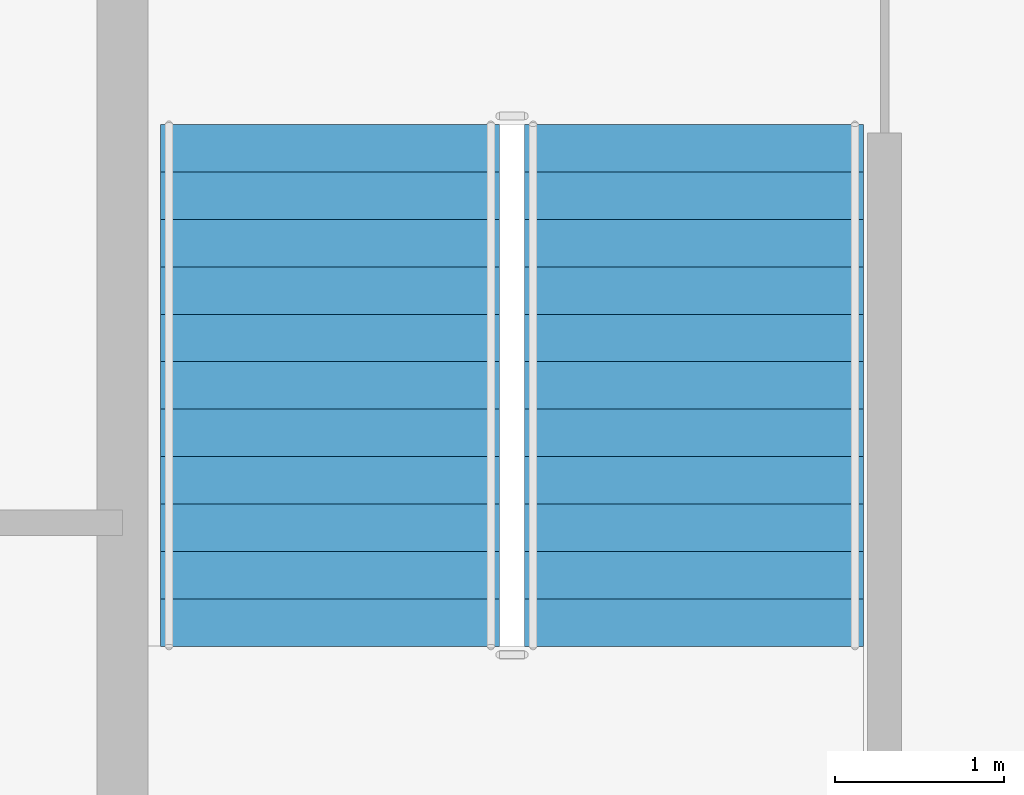
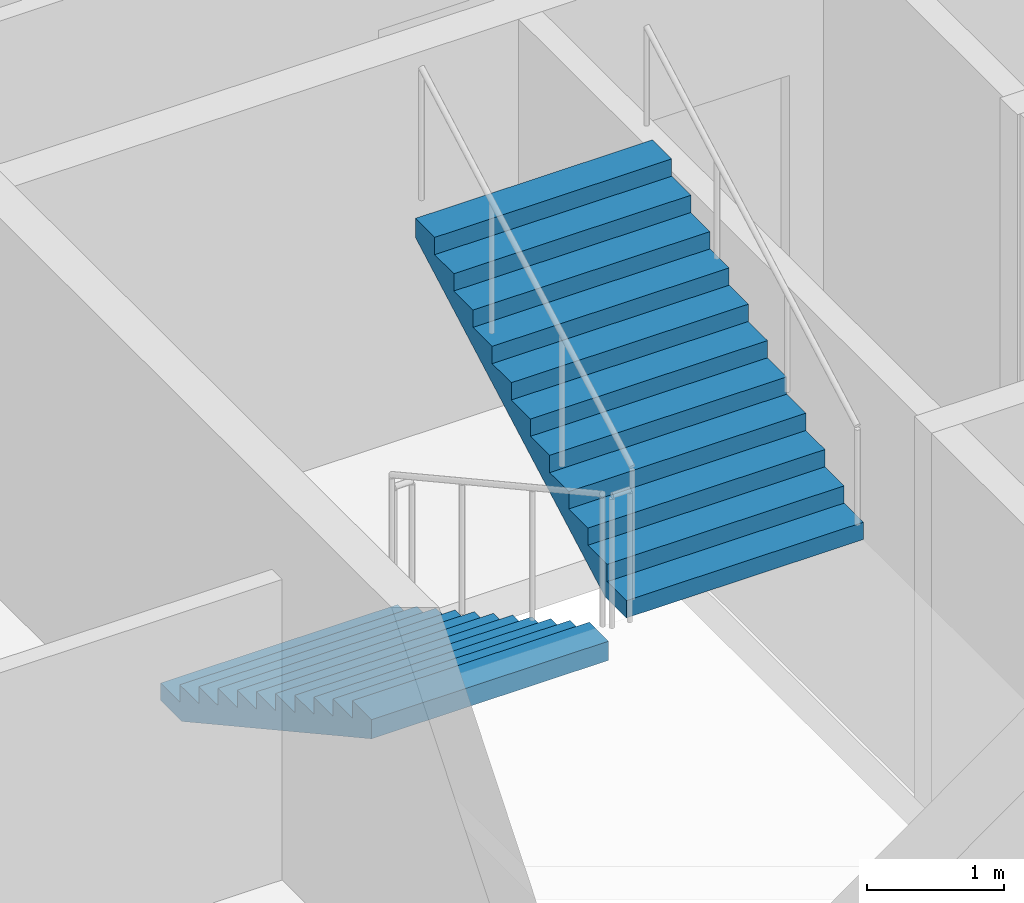
# One storey, part 8 of 11: 2 stair flights, 1 element without a shape of its own.
"""IFC4 building model written with IfcOpenShell, lengths in metres."""

import ifcopenshell
import ifcopenshell.guid

model = None  # the IFC model being written
_history = None  # IfcOwnerHistory: only IFC2X3 demands one
_inside = {}  # id of a spatial element -> (the spatial element, [elements in it])
_under = {}  # id of a project, library or spatial element -> (it, [spatial elements below it])
_declared = {}  # id of a project -> (the project, [libraries it declares])
_typed = {}  # id of a type object -> (the type object, [elements of that type])
_made_of = {}  # id of a material, layer set ... -> (it, [elements and type objects made of it])


def new_model(schema):
    """Start an empty IFC model of exactly this schema.

    Asked for "IFC4X3", IfcOpenShell would pick the latest addendum, in which some entities
    have other attributes; the version numbers below select the first issue.
    IFC2X3 requires an IfcOwnerHistory on every rooted entity: one is made here for all.
    """
    global model, _history
    if schema == "IFC4X3":
        model = ifcopenshell.file(schema_version=(4, 3, 0, 0))
    else:
        model = ifcopenshell.file(schema=schema)
    _inside.clear()
    _under.clear()
    _declared.clear()
    _typed.clear()
    _made_of.clear()
    _history = None
    if model.schema == "IFC2X3":
        org = make("IfcOrganization", Name="unknown")
        user = make(
            "IfcPersonAndOrganization",
            ThePerson=make("IfcPerson", FamilyName="unknown"),
            TheOrganization=org,
        )
        app = make(
            "IfcApplication",
            ApplicationDeveloper=org,
            Version="unknown",
            ApplicationFullName="unknown",
            ApplicationIdentifier="unknown",
        )
        _history = make(
            "IfcOwnerHistory",
            OwningUser=user,
            OwningApplication=app,
            ChangeAction="ADDED",
            CreationDate=0,
        )
    return model


def make(cls, **values):
    """One entity of the class cls with the attributes given. An attribute that is None is left unset."""
    return model.create_entity(
        cls, **{name: value for name, value in values.items() if value is not None}
    )


def rooted(cls, **values):
    """An entity with a GlobalId (a new one), such as an element, a storey or a relation."""
    return make(cls, GlobalId=ifcopenshell.guid.new(), OwnerHistory=_history, **values)


def si_unit(unit_type, name, prefix=None):
    """IfcSIUnit, for example si_unit("LENGTHUNIT", "METRE", prefix="MILLI")."""
    return make("IfcSIUnit", UnitType=unit_type, Prefix=prefix, Name=name)


def assignment(units):
    """IfcUnitAssignment: the units of a project."""
    return None if units is None else make("IfcUnitAssignment", Units=units)


def point(xyz):
    """IfcCartesianPoint."""
    return None if xyz is None else make("IfcCartesianPoint", Coordinates=xyz)


def direction(xyz):
    """IfcDirection."""
    return None if xyz is None else make("IfcDirection", DirectionRatios=xyz)


def frame(location, z_axis=None, x_axis=None):
    """IfcAxis2Placement3D, a coordinate frame: its origin and axes. An axis left out is left unset."""
    return make(
        "IfcAxis2Placement3D",
        Location=point(location),
        Axis=direction(z_axis),
        RefDirection=direction(x_axis),
    )


def origin():
    """The frame at (0, 0, 0) with its axes left unset."""
    return frame((0.0, 0.0, 0.0))


def place(relative_to, where):
    """IfcLocalPlacement: puts the frame where relative to a parent placement (None: the world)."""
    return make(
        "IfcLocalPlacement", PlacementRelTo=relative_to, RelativePlacement=where
    )


def context(
    kind, dimensions, precision=None, world=None, true_north=None, identifier=None
):
    """IfcGeometricRepresentationContext, for example the 3D "Model" context."""
    return make(
        "IfcGeometricRepresentationContext",
        ContextIdentifier=identifier,
        ContextType=kind,
        CoordinateSpaceDimension=dimensions,
        Precision=precision,
        WorldCoordinateSystem=world,
        TrueNorth=true_north,
    )


def subcontext(parent, identifier, kind, view, scale=None):
    """IfcGeometricRepresentationSubContext, for example "Body" below "Model"."""
    return make(
        "IfcGeometricRepresentationSubContext",
        ContextIdentifier=identifier,
        ContextType=kind,
        ParentContext=parent,
        TargetScale=scale,
        TargetView=view,
    )


def project(units=None, contexts=None):
    """IfcProject with its units and contexts."""
    return rooted(
        "IfcProject",
        Name="project",
        RepresentationContexts=contexts,
        UnitsInContext=assignment(units),
    )


def spatial(cls, under=None, at=None, **own):
    """A site, building, storey or space (cls), placed at a placement, below another one or the project."""
    s = rooted(cls, ObjectPlacement=at, **own)
    if under is not None:
        _under.setdefault(under.id(), (under, []))[1].append(s)
    return s


def point_list(points):
    """IfcCartesianPointList2D or 3D."""
    cls = (
        "IfcCartesianPointList2D" if len(points[0]) == 2 else "IfcCartesianPointList3D"
    )
    return make(cls, CoordList=points)


def polygons(points, faces, closed=None, point_numbers=None):
    """IfcPolygonalFaceSet: a face is its outer loop, then its inner loops; points numbered from 1."""
    made = []
    for loops in faces:
        if len(loops) == 1:
            made.append(make("IfcIndexedPolygonalFace", CoordIndex=loops[0]))
        else:
            made.append(
                make(
                    "IfcIndexedPolygonalFaceWithVoids",
                    CoordIndex=loops[0],
                    InnerCoordIndices=loops[1:],
                )
            )
    return make(
        "IfcPolygonalFaceSet",
        Coordinates=point_list(points),
        Closed=closed,
        Faces=made,
        PnIndex=point_numbers,
    )


def shape(context_of_items, identifier, shape_type, items):
    """IfcShapeRepresentation: the items that make up one representation, for example the "Body"."""
    return make(
        "IfcShapeRepresentation",
        ContextOfItems=context_of_items,
        RepresentationIdentifier=identifier,
        RepresentationType=shape_type,
        Items=items,
    )


def material(Name=None, Category=None):
    """IfcMaterial."""
    return make("IfcMaterial", Name=Name, Category=Category)


def made_of(thing, what):
    """Note that an element or type object is made of a material, layer set ...; save() writes the relation."""
    if what is not None:
        _made_of.setdefault(what.id(), (what, []))[1].append(thing)
    return thing


def type_object(cls, material=None, **own):
    """A type object (cls), such as IfcWallType, which elements share."""
    return made_of(rooted(cls, **own), material)


def element(
    cls,
    number,
    at=None,
    inside=None,
    cuts=None,
    type_object=None,
    material=None,
    context=None,
    identifier="Body",
    shape_type=None,
    held_by="IfcProductDefinitionShape",
    body=None,
    shapes=None,
    **own,
):
    """One element of the class cls, such as IfcWall. Its Tag is "e" and its number.

    at: its placement. inside: the storey or other place that contains it. cuts: it is an
    opening in that element (IfcRelVoidsElement). A single representation is given by context,
    identifier, shape_type and body (its items); several are given by shapes. held_by: the class
    of the entity that holds the representations. save() writes the other relations.
    """
    e = rooted(cls, Tag="e%d" % number, ObjectPlacement=at, **own)
    if body is not None:
        shapes = [shape(context, identifier, shape_type, body)]
    if shapes is not None:
        e.Representation = make(held_by, Representations=shapes)
    if inside is not None:
        _inside.setdefault(inside.id(), (inside, []))[1].append(e)
    if cuts is not None:
        rooted(
            "IfcRelVoidsElement", RelatingBuildingElement=cuts, RelatedOpeningElement=e
        )
    if type_object is not None:
        _typed.setdefault(type_object.id(), (type_object, []))[1].append(e)
    return made_of(e, material)


def aggregate(whole, parts):
    """IfcRelAggregates: a whole, such as a stair, and the parts it consists of."""
    return rooted("IfcRelAggregates", RelatingObject=whole, RelatedObjects=parts)


def save(model, path):
    """Write the relations noted so far, then the file.

    IfcRelAggregates (storeys below a building ...), IfcRelContainedInSpatialStructure (elements
    in a storey), IfcRelDefinesByType, IfcRelAssociatesMaterial and IfcRelDeclares: one each for
    every whole, place, type object, material and project.
    """
    for whole, parts in _under.values():
        aggregate(whole, parts)
    for where, things in _inside.values():
        rooted(
            "IfcRelContainedInSpatialStructure",
            RelatedElements=things,
            RelatingStructure=where,
        )
    for kind, things in _typed.values():
        rooted("IfcRelDefinesByType", RelatedObjects=things, RelatingType=kind)
    for what, things in _made_of.values():
        rooted("IfcRelAssociatesMaterial", RelatedObjects=things, RelatingMaterial=what)
    for by, libraries in _declared.values():
        rooted("IfcRelDeclares", RelatingContext=by, RelatedDefinitions=libraries)
    model.write(path)


model = new_model("IFC4")

# Units and contexts
model_context = context("Model", 3, precision=1e-05, world=origin(), true_north=direction((0.0, 1.0)))
body_context = subcontext(model_context, "Body", "Model", "MODEL_VIEW")
ifc_project = project(units=[si_unit("LENGTHUNIT", "METRE"), si_unit("AREAUNIT", "SQUARE_METRE"), si_unit("VOLUMEUNIT", "CUBIC_METRE"), si_unit("PLANEANGLEUNIT", "RADIAN"), si_unit("MASSUNIT", "GRAM", prefix="KILO")], contexts=[model_context])

# Site, building, storey
site_placement = place(None, origin())
site = spatial("IfcSite", under=ifc_project, at=site_placement, CompositionType="ELEMENT")
building_placement = place(site_placement, origin())
building = spatial("IfcBuilding", under=site, at=building_placement, Name="Caravel Reach Hotel and Residences", CompositionType="ELEMENT")
storey_placement = place(building_placement, frame((0.0, 0.0, 210.89990234375)))
storey = spatial("IfcBuildingStorey", under=building, at=storey_placement, Name="L53", CompositionType="ELEMENT", Elevation=210.89990234375)

# Stair, stair flights
ifc_material_1 = material(Name="Concrete C40", Category="concrete")
stair_type = type_object("IfcStairType", Name="Core stair", PredefinedType="HALF_TURN_STAIR", material=ifc_material_1)
stair_placement = place(storey_placement, origin())
stair = element("IfcStair", 1, at=stair_placement, inside=storey, type_object=stair_type, Name="L53 Exit stair A", PredefinedType="HALF_TURN_STAIR")
ifc_material_2 = material(Name="Concrete C40", Category="concrete")
stair_flight_type = type_object("IfcStairFlightType", Name="Core stair flight", PredefinedType="STRAIGHT", material=ifc_material_2)
stair_flight_1_placement = place(storey_placement, frame((19.22509765625, 29.35009765625, 0.0), z_axis=(0.0, 0.0, 1.0), x_axis=(0.0, -1.0, 0.0)))
stair_flight_1 = element("IfcStairFlight", 2, at=stair_flight_1_placement, type_object=stair_flight_type, Name="ST-A flight 1", NumberOfRisers=12, NumberOfTreads=11, PredefinedType="STRAIGHT", RiserHeight=0.154166667, TreadLength=0.28, context=body_context, shape_type="Tessellation", body=[
    polygons([(0.3107950034306102, 1.0, 0.0), (0.3107950034306102, 0.6666666666666667, 0.0), (0.3107950034306102, 0.33333333333333337, 0.0), (0.3107950034306102, 0.0, 0.0), (0.3107950034306102, -0.33333333333333326, 0.0), (0.3107950034306102, -0.6666666666666667, 0.0), (0.3107950034306102, -1.0, 0.0), (3.081, 1.0, 1.524711087717319), (3.081, 0.6666666666666667, 1.524711087717319), (3.081, 0.33333333333333337, 1.524711087717319), (3.081, 0.0, 1.524711087717319), (3.081, -0.33333333333333326, 1.524711087717319), (3.081, -0.6666666666666667, 1.524711087717319), (3.081, -1.0, 1.524711087717319), (3.081, 1.0, 1.695833337), (3.081, 0.6666666666666667, 1.695833337), (3.081, 0.33333333333333337, 1.695833337), (3.081, 0.0, 1.695833337), (3.081, -0.33333333333333326, 1.695833337), (3.081, -0.6666666666666667, 1.695833337), (3.081, -1.0, 1.695833337), (2.8000000000000003, 1.0, 1.695833337), (2.8000000000000003, 0.6666666666666667, 1.695833337), (2.8000000000000003, 0.33333333333333337, 1.695833337), (2.8000000000000003, 0.0, 1.695833337), (2.8000000000000003, -0.33333333333333326, 1.695833337), (2.8000000000000003, -0.6666666666666667, 1.695833337), (2.8000000000000003, -1.0, 1.695833337), (2.8000000000000003, 1.0, 1.5416666700000001), (2.8000000000000003, 0.6666666666666667, 1.5416666700000001), (2.8000000000000003, 0.33333333333333337, 1.5416666700000001), (2.8000000000000003, 0.0, 1.5416666700000001), (2.8000000000000003, -0.33333333333333326, 1.5416666700000001), (2.8000000000000003, -0.6666666666666667, 1.5416666700000001), (2.8000000000000003, -1.0, 1.5416666700000001), (2.5200000000000005, 1.0, 1.5416666700000001), (2.5200000000000005, 0.6666666666666667, 1.5416666700000001), (2.5200000000000005, 0.33333333333333337, 1.5416666700000001), (2.5200000000000005, 0.0, 1.5416666700000001), (2.5200000000000005, -0.33333333333333326, 1.5416666700000001), (2.5200000000000005, -0.6666666666666667, 1.5416666700000001), (2.5200000000000005, -1.0, 1.5416666700000001), (2.5200000000000005, 1.0, 1.387500003), (2.5200000000000005, 0.6666666666666667, 1.387500003), (2.5200000000000005, 0.33333333333333337, 1.387500003), (2.5200000000000005, 0.0, 1.387500003), (2.5200000000000005, -0.33333333333333326, 1.387500003), (2.5200000000000005, -0.6666666666666667, 1.387500003), (2.5200000000000005, -1.0, 1.387500003), (2.24, 1.0, 1.387500003), (2.24, 0.6666666666666667, 1.387500003), (2.24, 0.33333333333333337, 1.387500003), (2.24, 0.0, 1.387500003), (2.24, -0.33333333333333326, 1.387500003), (2.24, -0.6666666666666667, 1.387500003), (2.24, -1.0, 1.387500003), (2.24, 1.0, 1.233333336), (2.24, 0.6666666666666667, 1.233333336), (2.24, 0.33333333333333337, 1.233333336), (2.24, 0.0, 1.233333336), (2.24, -0.33333333333333326, 1.233333336), (2.24, -0.6666666666666667, 1.233333336), (2.24, -1.0, 1.233333336), (1.9600000000000002, 1.0, 1.233333336), (1.9600000000000002, 0.6666666666666667, 1.233333336), (1.9600000000000002, 0.33333333333333337, 1.233333336), (1.9600000000000002, 0.0, 1.233333336), (1.9600000000000002, -0.33333333333333326, 1.233333336), (1.9600000000000002, -0.6666666666666667, 1.233333336), (1.9600000000000002, -1.0, 1.233333336), (1.9600000000000002, 1.0, 1.0791666690000001), (1.9600000000000002, 0.6666666666666667, 1.0791666690000001), (1.9600000000000002, 0.33333333333333337, 1.0791666690000001), (1.9600000000000002, 0.0, 1.0791666690000001), (1.9600000000000002, -0.33333333333333326, 1.0791666690000001), (1.9600000000000002, -0.6666666666666667, 1.0791666690000001), (1.9600000000000002, -1.0, 1.0791666690000001), (1.6800000000000002, 1.0, 1.0791666690000001), (1.6800000000000002, 0.6666666666666667, 1.0791666690000001), (1.6800000000000002, 0.33333333333333337, 1.0791666690000001), (1.6800000000000002, 0.0, 1.0791666690000001), (1.6800000000000002, -0.33333333333333326, 1.0791666690000001), (1.6800000000000002, -0.6666666666666667, 1.0791666690000001), (1.6800000000000002, -1.0, 1.0791666690000001), (1.6800000000000002, 1.0, 0.925000002), (1.6800000000000002, 0.6666666666666667, 0.925000002), (1.6800000000000002, 0.33333333333333337, 0.925000002), (1.6800000000000002, 0.0, 0.925000002), (1.6800000000000002, -0.33333333333333326, 0.925000002), (1.6800000000000002, -0.6666666666666667, 0.925000002), (1.6800000000000002, -1.0, 0.925000002), (1.4000000000000001, 1.0, 0.925000002), (1.4000000000000001, 0.6666666666666667, 0.925000002), (1.4000000000000001, 0.33333333333333337, 0.925000002), (1.4000000000000001, 0.0, 0.925000002), (1.4000000000000001, -0.33333333333333326, 0.925000002), (1.4000000000000001, -0.6666666666666667, 0.925000002), (1.4000000000000001, -1.0, 0.925000002), (1.4000000000000001, 1.0, 0.7708333350000001), (1.4000000000000001, 0.6666666666666667, 0.7708333350000001), (1.4000000000000001, 0.33333333333333337, 0.7708333350000001), (1.4000000000000001, 0.0, 0.7708333350000001), (1.4000000000000001, -0.33333333333333326, 0.7708333350000001), (1.4000000000000001, -0.6666666666666667, 0.7708333350000001), (1.4000000000000001, -1.0, 0.7708333350000001), (1.12, 1.0, 0.7708333350000001), (1.12, 0.6666666666666667, 0.7708333350000001), (1.12, 0.33333333333333337, 0.7708333350000001), (1.12, 0.0, 0.7708333350000001), (1.12, -0.33333333333333326, 0.7708333350000001), (1.12, -0.6666666666666667, 0.7708333350000001), (1.12, -1.0, 0.7708333350000001), (1.12, 1.0, 0.616666668), (1.12, 0.6666666666666667, 0.616666668), (1.12, 0.33333333333333337, 0.616666668), (1.12, 0.0, 0.616666668), (1.12, -0.33333333333333326, 0.616666668), (1.12, -0.6666666666666667, 0.616666668), (1.12, -1.0, 0.616666668), (0.8400000000000001, 1.0, 0.616666668), (0.8400000000000001, 0.6666666666666667, 0.616666668), (0.8400000000000001, 0.33333333333333337, 0.616666668), (0.8400000000000001, 0.0, 0.616666668), (0.8400000000000001, -0.33333333333333326, 0.616666668), (0.8400000000000001, -0.6666666666666667, 0.616666668), (0.8400000000000001, -1.0, 0.616666668), (0.8400000000000001, 1.0, 0.462500001), (0.8400000000000001, 0.6666666666666667, 0.462500001), (0.8400000000000001, 0.33333333333333337, 0.462500001), (0.8400000000000001, 0.0, 0.462500001), (0.8400000000000001, -0.33333333333333326, 0.462500001), (0.8400000000000001, -0.6666666666666667, 0.462500001), (0.8400000000000001, -1.0, 0.462500001), (0.56, 1.0, 0.462500001), (0.56, 0.6666666666666667, 0.462500001), (0.56, 0.33333333333333337, 0.462500001), (0.56, 0.0, 0.462500001), (0.56, -0.33333333333333326, 0.462500001), (0.56, -0.6666666666666667, 0.462500001), (0.56, -1.0, 0.462500001), (0.56, 1.0, 0.308333334), (0.56, 0.6666666666666667, 0.308333334), (0.56, 0.33333333333333337, 0.308333334), (0.56, 0.0, 0.308333334), (0.56, -0.33333333333333326, 0.308333334), (0.56, -0.6666666666666667, 0.308333334), (0.56, -1.0, 0.308333334), (0.28, 1.0, 0.308333334), (0.28, 0.6666666666666667, 0.308333334), (0.28, 0.33333333333333337, 0.308333334), (0.28, 0.0, 0.308333334), (0.28, -0.33333333333333326, 0.308333334), (0.28, -0.6666666666666667, 0.308333334), (0.28, -1.0, 0.308333334), (0.28, 1.0, 0.154166667), (0.28, 0.6666666666666667, 0.154166667), (0.28, 0.33333333333333337, 0.154166667), (0.28, 0.0, 0.154166667), (0.28, -0.33333333333333326, 0.154166667), (0.28, -0.6666666666666667, 0.154166667), (0.28, -1.0, 0.154166667), (-0.001, 1.0, 0.154166667), (-0.001, 0.6666666666666667, 0.154166667), (-0.001, 0.33333333333333337, 0.154166667), (-0.001, 0.0, 0.154166667), (-0.001, -0.33333333333333326, 0.154166667), (-0.001, -0.6666666666666667, 0.154166667), (-0.001, -1.0, 0.154166667), (-0.001, 1.0, 0.0), (-0.001, 0.6666666666666667, 0.0), (-0.001, 0.33333333333333337, 0.0), (-0.001, 0.0, 0.0), (-0.001, -0.33333333333333326, 0.0), (-0.001, -0.6666666666666667, 0.0), (-0.001, -1.0, 0.0)], [[[169, 162, 155, 148, 141, 134, 127, 120, 113, 106, 99, 92, 85, 78, 71, 64, 57, 50, 43, 36, 29, 22, 15, 8, 1]], [[7, 14, 21, 28, 35, 42, 49, 56, 63, 70, 77, 84, 91, 98, 105, 112, 119, 126, 133, 140, 147, 154, 161, 168, 175]], [[1, 8, 9, 2]], [[2, 9, 10, 3]], [[3, 10, 11, 4]], [[4, 11, 12, 5]], [[5, 12, 13, 6]], [[6, 13, 14, 7]], [[8, 15, 16, 9]], [[9, 16, 17, 10]], [[10, 17, 18, 11]], [[11, 18, 19, 12]], [[12, 19, 20, 13]], [[13, 20, 21, 14]], [[15, 22, 23, 16]], [[16, 23, 24, 17]], [[17, 24, 25, 18]], [[18, 25, 26, 19]], [[19, 26, 27, 20]], [[20, 27, 28, 21]], [[22, 29, 30, 23]], [[23, 30, 31, 24]], [[24, 31, 32, 25]], [[25, 32, 33, 26]], [[26, 33, 34, 27]], [[27, 34, 35, 28]], [[29, 36, 37, 30]], [[30, 37, 38, 31]], [[31, 38, 39, 32]], [[32, 39, 40, 33]], [[33, 40, 41, 34]], [[34, 41, 42, 35]], [[36, 43, 44, 37]], [[37, 44, 45, 38]], [[38, 45, 46, 39]], [[39, 46, 47, 40]], [[40, 47, 48, 41]], [[41, 48, 49, 42]], [[43, 50, 51, 44]], [[44, 51, 52, 45]], [[45, 52, 53, 46]], [[46, 53, 54, 47]], [[47, 54, 55, 48]], [[48, 55, 56, 49]], [[50, 57, 58, 51]], [[51, 58, 59, 52]], [[52, 59, 60, 53]], [[53, 60, 61, 54]], [[54, 61, 62, 55]], [[55, 62, 63, 56]], [[57, 64, 65, 58]], [[58, 65, 66, 59]], [[59, 66, 67, 60]], [[60, 67, 68, 61]], [[61, 68, 69, 62]], [[62, 69, 70, 63]], [[64, 71, 72, 65]], [[65, 72, 73, 66]], [[66, 73, 74, 67]], [[67, 74, 75, 68]], [[68, 75, 76, 69]], [[69, 76, 77, 70]], [[71, 78, 79, 72]], [[72, 79, 80, 73]], [[73, 80, 81, 74]], [[74, 81, 82, 75]], [[75, 82, 83, 76]], [[76, 83, 84, 77]], [[78, 85, 86, 79]], [[79, 86, 87, 80]], [[80, 87, 88, 81]], [[81, 88, 89, 82]], [[82, 89, 90, 83]], [[83, 90, 91, 84]], [[85, 92, 93, 86]], [[86, 93, 94, 87]], [[87, 94, 95, 88]], [[88, 95, 96, 89]], [[89, 96, 97, 90]], [[90, 97, 98, 91]], [[92, 99, 100, 93]], [[93, 100, 101, 94]], [[94, 101, 102, 95]], [[95, 102, 103, 96]], [[96, 103, 104, 97]], [[97, 104, 105, 98]], [[99, 106, 107, 100]], [[100, 107, 108, 101]], [[101, 108, 109, 102]], [[102, 109, 110, 103]], [[103, 110, 111, 104]], [[104, 111, 112, 105]], [[106, 113, 114, 107]], [[107, 114, 115, 108]], [[108, 115, 116, 109]], [[109, 116, 117, 110]], [[110, 117, 118, 111]], [[111, 118, 119, 112]], [[113, 120, 121, 114]], [[114, 121, 122, 115]], [[115, 122, 123, 116]], [[116, 123, 124, 117]], [[117, 124, 125, 118]], [[118, 125, 126, 119]], [[120, 127, 128, 121]], [[121, 128, 129, 122]], [[122, 129, 130, 123]], [[123, 130, 131, 124]], [[124, 131, 132, 125]], [[125, 132, 133, 126]], [[127, 134, 135, 128]], [[128, 135, 136, 129]], [[129, 136, 137, 130]], [[130, 137, 138, 131]], [[131, 138, 139, 132]], [[132, 139, 140, 133]], [[134, 141, 142, 135]], [[135, 142, 143, 136]], [[136, 143, 144, 137]], [[137, 144, 145, 138]], [[138, 145, 146, 139]], [[139, 146, 147, 140]], [[141, 148, 149, 142]], [[142, 149, 150, 143]], [[143, 150, 151, 144]], [[144, 151, 152, 145]], [[145, 152, 153, 146]], [[146, 153, 154, 147]], [[148, 155, 156, 149]], [[149, 156, 157, 150]], [[150, 157, 158, 151]], [[151, 158, 159, 152]], [[152, 159, 160, 153]], [[153, 160, 161, 154]], [[155, 162, 163, 156]], [[156, 163, 164, 157]], [[157, 164, 165, 158]], [[158, 165, 166, 159]], [[159, 166, 167, 160]], [[160, 167, 168, 161]], [[162, 169, 170, 163]], [[163, 170, 171, 164]], [[164, 171, 172, 165]], [[165, 172, 173, 166]], [[166, 173, 174, 167]], [[167, 174, 175, 168]], [[169, 1, 2, 170]], [[170, 2, 3, 171]], [[171, 3, 4, 172]], [[172, 4, 5, 173]], [[173, 5, 6, 174]], [[174, 6, 7, 175]]], closed=True),
])
stair_flight_2_placement = place(storey_placement, frame((21.375, 26.27001953125, 1.85009765625), z_axis=(0.0, 0.0, 1.0), x_axis=(0.0, 1.0, 0.0)))
stair_flight_2 = element("IfcStairFlight", 3, at=stair_flight_2_placement, type_object=stair_flight_type, Name="ST-A flight 2", NumberOfRisers=12, NumberOfTreads=11, PredefinedType="STRAIGHT", RiserHeight=0.154166667, TreadLength=0.28, context=body_context, shape_type="Tessellation", body=[
    polygons([(0.3107950034306102, 1.0, 0.0), (0.3107950034306102, 0.6666666666666667, 0.0), (0.3107950034306102, 0.33333333333333337, 0.0), (0.3107950034306102, 0.0, 0.0), (0.3107950034306102, -0.33333333333333326, 0.0), (0.3107950034306102, -0.6666666666666667, 0.0), (0.3107950034306102, -1.0, 0.0), (3.081, 1.0, 1.524711087717319), (3.081, 0.6666666666666667, 1.524711087717319), (3.081, 0.33333333333333337, 1.524711087717319), (3.081, 0.0, 1.524711087717319), (3.081, -0.33333333333333326, 1.524711087717319), (3.081, -0.6666666666666667, 1.524711087717319), (3.081, -1.0, 1.524711087717319), (3.081, 1.0, 1.695833337), (3.081, 0.6666666666666667, 1.695833337), (3.081, 0.33333333333333337, 1.695833337), (3.081, 0.0, 1.695833337), (3.081, -0.33333333333333326, 1.695833337), (3.081, -0.6666666666666667, 1.695833337), (3.081, -1.0, 1.695833337), (2.8000000000000003, 1.0, 1.695833337), (2.8000000000000003, 0.6666666666666667, 1.695833337), (2.8000000000000003, 0.33333333333333337, 1.695833337), (2.8000000000000003, 0.0, 1.695833337), (2.8000000000000003, -0.33333333333333326, 1.695833337), (2.8000000000000003, -0.6666666666666667, 1.695833337), (2.8000000000000003, -1.0, 1.695833337), (2.8000000000000003, 1.0, 1.5416666700000001), (2.8000000000000003, 0.6666666666666667, 1.5416666700000001), (2.8000000000000003, 0.33333333333333337, 1.5416666700000001), (2.8000000000000003, 0.0, 1.5416666700000001), (2.8000000000000003, -0.33333333333333326, 1.5416666700000001), (2.8000000000000003, -0.6666666666666667, 1.5416666700000001), (2.8000000000000003, -1.0, 1.5416666700000001), (2.5200000000000005, 1.0, 1.5416666700000001), (2.5200000000000005, 0.6666666666666667, 1.5416666700000001), (2.5200000000000005, 0.33333333333333337, 1.5416666700000001), (2.5200000000000005, 0.0, 1.5416666700000001), (2.5200000000000005, -0.33333333333333326, 1.5416666700000001), (2.5200000000000005, -0.6666666666666667, 1.5416666700000001), (2.5200000000000005, -1.0, 1.5416666700000001), (2.5200000000000005, 1.0, 1.387500003), (2.5200000000000005, 0.6666666666666667, 1.387500003), (2.5200000000000005, 0.33333333333333337, 1.387500003), (2.5200000000000005, 0.0, 1.387500003), (2.5200000000000005, -0.33333333333333326, 1.387500003), (2.5200000000000005, -0.6666666666666667, 1.387500003), (2.5200000000000005, -1.0, 1.387500003), (2.24, 1.0, 1.387500003), (2.24, 0.6666666666666667, 1.387500003), (2.24, 0.33333333333333337, 1.387500003), (2.24, 0.0, 1.387500003), (2.24, -0.33333333333333326, 1.387500003), (2.24, -0.6666666666666667, 1.387500003), (2.24, -1.0, 1.387500003), (2.24, 1.0, 1.233333336), (2.24, 0.6666666666666667, 1.233333336), (2.24, 0.33333333333333337, 1.233333336), (2.24, 0.0, 1.233333336), (2.24, -0.33333333333333326, 1.233333336), (2.24, -0.6666666666666667, 1.233333336), (2.24, -1.0, 1.233333336), (1.9600000000000002, 1.0, 1.233333336), (1.9600000000000002, 0.6666666666666667, 1.233333336), (1.9600000000000002, 0.33333333333333337, 1.233333336), (1.9600000000000002, 0.0, 1.233333336), (1.9600000000000002, -0.33333333333333326, 1.233333336), (1.9600000000000002, -0.6666666666666667, 1.233333336), (1.9600000000000002, -1.0, 1.233333336), (1.9600000000000002, 1.0, 1.0791666690000001), (1.9600000000000002, 0.6666666666666667, 1.0791666690000001), (1.9600000000000002, 0.33333333333333337, 1.0791666690000001), (1.9600000000000002, 0.0, 1.0791666690000001), (1.9600000000000002, -0.33333333333333326, 1.0791666690000001), (1.9600000000000002, -0.6666666666666667, 1.0791666690000001), (1.9600000000000002, -1.0, 1.0791666690000001), (1.6800000000000002, 1.0, 1.0791666690000001), (1.6800000000000002, 0.6666666666666667, 1.0791666690000001), (1.6800000000000002, 0.33333333333333337, 1.0791666690000001), (1.6800000000000002, 0.0, 1.0791666690000001), (1.6800000000000002, -0.33333333333333326, 1.0791666690000001), (1.6800000000000002, -0.6666666666666667, 1.0791666690000001), (1.6800000000000002, -1.0, 1.0791666690000001), (1.6800000000000002, 1.0, 0.925000002), (1.6800000000000002, 0.6666666666666667, 0.925000002), (1.6800000000000002, 0.33333333333333337, 0.925000002), (1.6800000000000002, 0.0, 0.925000002), (1.6800000000000002, -0.33333333333333326, 0.925000002), (1.6800000000000002, -0.6666666666666667, 0.925000002), (1.6800000000000002, -1.0, 0.925000002), (1.4000000000000001, 1.0, 0.925000002), (1.4000000000000001, 0.6666666666666667, 0.925000002), (1.4000000000000001, 0.33333333333333337, 0.925000002), (1.4000000000000001, 0.0, 0.925000002), (1.4000000000000001, -0.33333333333333326, 0.925000002), (1.4000000000000001, -0.6666666666666667, 0.925000002), (1.4000000000000001, -1.0, 0.925000002), (1.4000000000000001, 1.0, 0.7708333350000001), (1.4000000000000001, 0.6666666666666667, 0.7708333350000001), (1.4000000000000001, 0.33333333333333337, 0.7708333350000001), (1.4000000000000001, 0.0, 0.7708333350000001), (1.4000000000000001, -0.33333333333333326, 0.7708333350000001), (1.4000000000000001, -0.6666666666666667, 0.7708333350000001), (1.4000000000000001, -1.0, 0.7708333350000001), (1.12, 1.0, 0.7708333350000001), (1.12, 0.6666666666666667, 0.7708333350000001), (1.12, 0.33333333333333337, 0.7708333350000001), (1.12, 0.0, 0.7708333350000001), (1.12, -0.33333333333333326, 0.7708333350000001), (1.12, -0.6666666666666667, 0.7708333350000001), (1.12, -1.0, 0.7708333350000001), (1.12, 1.0, 0.616666668), (1.12, 0.6666666666666667, 0.616666668), (1.12, 0.33333333333333337, 0.616666668), (1.12, 0.0, 0.616666668), (1.12, -0.33333333333333326, 0.616666668), (1.12, -0.6666666666666667, 0.616666668), (1.12, -1.0, 0.616666668), (0.8400000000000001, 1.0, 0.616666668), (0.8400000000000001, 0.6666666666666667, 0.616666668), (0.8400000000000001, 0.33333333333333337, 0.616666668), (0.8400000000000001, 0.0, 0.616666668), (0.8400000000000001, -0.33333333333333326, 0.616666668), (0.8400000000000001, -0.6666666666666667, 0.616666668), (0.8400000000000001, -1.0, 0.616666668), (0.8400000000000001, 1.0, 0.462500001), (0.8400000000000001, 0.6666666666666667, 0.462500001), (0.8400000000000001, 0.33333333333333337, 0.462500001), (0.8400000000000001, 0.0, 0.462500001), (0.8400000000000001, -0.33333333333333326, 0.462500001), (0.8400000000000001, -0.6666666666666667, 0.462500001), (0.8400000000000001, -1.0, 0.462500001), (0.56, 1.0, 0.462500001), (0.56, 0.6666666666666667, 0.462500001), (0.56, 0.33333333333333337, 0.462500001), (0.56, 0.0, 0.462500001), (0.56, -0.33333333333333326, 0.462500001), (0.56, -0.6666666666666667, 0.462500001), (0.56, -1.0, 0.462500001), (0.56, 1.0, 0.308333334), (0.56, 0.6666666666666667, 0.308333334), (0.56, 0.33333333333333337, 0.308333334), (0.56, 0.0, 0.308333334), (0.56, -0.33333333333333326, 0.308333334), (0.56, -0.6666666666666667, 0.308333334), (0.56, -1.0, 0.308333334), (0.28, 1.0, 0.308333334), (0.28, 0.6666666666666667, 0.308333334), (0.28, 0.33333333333333337, 0.308333334), (0.28, 0.0, 0.308333334), (0.28, -0.33333333333333326, 0.308333334), (0.28, -0.6666666666666667, 0.308333334), (0.28, -1.0, 0.308333334), (0.28, 1.0, 0.154166667), (0.28, 0.6666666666666667, 0.154166667), (0.28, 0.33333333333333337, 0.154166667), (0.28, 0.0, 0.154166667), (0.28, -0.33333333333333326, 0.154166667), (0.28, -0.6666666666666667, 0.154166667), (0.28, -1.0, 0.154166667), (-0.001, 1.0, 0.154166667), (-0.001, 0.6666666666666667, 0.154166667), (-0.001, 0.33333333333333337, 0.154166667), (-0.001, 0.0, 0.154166667), (-0.001, -0.33333333333333326, 0.154166667), (-0.001, -0.6666666666666667, 0.154166667), (-0.001, -1.0, 0.154166667), (-0.001, 1.0, 0.0), (-0.001, 0.6666666666666667, 0.0), (-0.001, 0.33333333333333337, 0.0), (-0.001, 0.0, 0.0), (-0.001, -0.33333333333333326, 0.0), (-0.001, -0.6666666666666667, 0.0), (-0.001, -1.0, 0.0)], [[[169, 162, 155, 148, 141, 134, 127, 120, 113, 106, 99, 92, 85, 78, 71, 64, 57, 50, 43, 36, 29, 22, 15, 8, 1]], [[7, 14, 21, 28, 35, 42, 49, 56, 63, 70, 77, 84, 91, 98, 105, 112, 119, 126, 133, 140, 147, 154, 161, 168, 175]], [[1, 8, 9, 2]], [[2, 9, 10, 3]], [[3, 10, 11, 4]], [[4, 11, 12, 5]], [[5, 12, 13, 6]], [[6, 13, 14, 7]], [[8, 15, 16, 9]], [[9, 16, 17, 10]], [[10, 17, 18, 11]], [[11, 18, 19, 12]], [[12, 19, 20, 13]], [[13, 20, 21, 14]], [[15, 22, 23, 16]], [[16, 23, 24, 17]], [[17, 24, 25, 18]], [[18, 25, 26, 19]], [[19, 26, 27, 20]], [[20, 27, 28, 21]], [[22, 29, 30, 23]], [[23, 30, 31, 24]], [[24, 31, 32, 25]], [[25, 32, 33, 26]], [[26, 33, 34, 27]], [[27, 34, 35, 28]], [[29, 36, 37, 30]], [[30, 37, 38, 31]], [[31, 38, 39, 32]], [[32, 39, 40, 33]], [[33, 40, 41, 34]], [[34, 41, 42, 35]], [[36, 43, 44, 37]], [[37, 44, 45, 38]], [[38, 45, 46, 39]], [[39, 46, 47, 40]], [[40, 47, 48, 41]], [[41, 48, 49, 42]], [[43, 50, 51, 44]], [[44, 51, 52, 45]], [[45, 52, 53, 46]], [[46, 53, 54, 47]], [[47, 54, 55, 48]], [[48, 55, 56, 49]], [[50, 57, 58, 51]], [[51, 58, 59, 52]], [[52, 59, 60, 53]], [[53, 60, 61, 54]], [[54, 61, 62, 55]], [[55, 62, 63, 56]], [[57, 64, 65, 58]], [[58, 65, 66, 59]], [[59, 66, 67, 60]], [[60, 67, 68, 61]], [[61, 68, 69, 62]], [[62, 69, 70, 63]], [[64, 71, 72, 65]], [[65, 72, 73, 66]], [[66, 73, 74, 67]], [[67, 74, 75, 68]], [[68, 75, 76, 69]], [[69, 76, 77, 70]], [[71, 78, 79, 72]], [[72, 79, 80, 73]], [[73, 80, 81, 74]], [[74, 81, 82, 75]], [[75, 82, 83, 76]], [[76, 83, 84, 77]], [[78, 85, 86, 79]], [[79, 86, 87, 80]], [[80, 87, 88, 81]], [[81, 88, 89, 82]], [[82, 89, 90, 83]], [[83, 90, 91, 84]], [[85, 92, 93, 86]], [[86, 93, 94, 87]], [[87, 94, 95, 88]], [[88, 95, 96, 89]], [[89, 96, 97, 90]], [[90, 97, 98, 91]], [[92, 99, 100, 93]], [[93, 100, 101, 94]], [[94, 101, 102, 95]], [[95, 102, 103, 96]], [[96, 103, 104, 97]], [[97, 104, 105, 98]], [[99, 106, 107, 100]], [[100, 107, 108, 101]], [[101, 108, 109, 102]], [[102, 109, 110, 103]], [[103, 110, 111, 104]], [[104, 111, 112, 105]], [[106, 113, 114, 107]], [[107, 114, 115, 108]], [[108, 115, 116, 109]], [[109, 116, 117, 110]], [[110, 117, 118, 111]], [[111, 118, 119, 112]], [[113, 120, 121, 114]], [[114, 121, 122, 115]], [[115, 122, 123, 116]], [[116, 123, 124, 117]], [[117, 124, 125, 118]], [[118, 125, 126, 119]], [[120, 127, 128, 121]], [[121, 128, 129, 122]], [[122, 129, 130, 123]], [[123, 130, 131, 124]], [[124, 131, 132, 125]], [[125, 132, 133, 126]], [[127, 134, 135, 128]], [[128, 135, 136, 129]], [[129, 136, 137, 130]], [[130, 137, 138, 131]], [[131, 138, 139, 132]], [[132, 139, 140, 133]], [[134, 141, 142, 135]], [[135, 142, 143, 136]], [[136, 143, 144, 137]], [[137, 144, 145, 138]], [[138, 145, 146, 139]], [[139, 146, 147, 140]], [[141, 148, 149, 142]], [[142, 149, 150, 143]], [[143, 150, 151, 144]], [[144, 151, 152, 145]], [[145, 152, 153, 146]], [[146, 153, 154, 147]], [[148, 155, 156, 149]], [[149, 156, 157, 150]], [[150, 157, 158, 151]], [[151, 158, 159, 152]], [[152, 159, 160, 153]], [[153, 160, 161, 154]], [[155, 162, 163, 156]], [[156, 163, 164, 157]], [[157, 164, 165, 158]], [[158, 165, 166, 159]], [[159, 166, 167, 160]], [[160, 167, 168, 161]], [[162, 169, 170, 163]], [[163, 170, 171, 164]], [[164, 171, 172, 165]], [[165, 172, 173, 166]], [[166, 173, 174, 167]], [[167, 174, 175, 168]], [[169, 1, 2, 170]], [[170, 2, 3, 171]], [[171, 3, 4, 172]], [[172, 4, 5, 173]], [[173, 5, 6, 174]], [[174, 6, 7, 175]]], closed=True),
])
aggregate(stair, [stair_flight_1, stair_flight_2])

save(model, "model.ifc")
